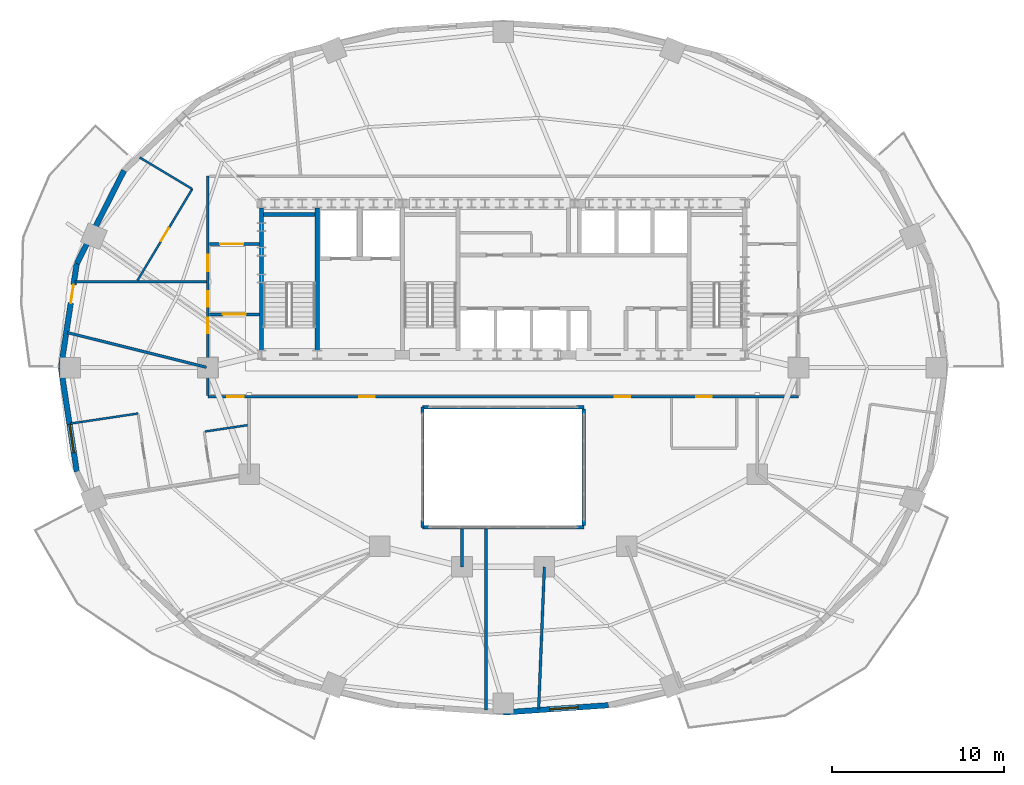
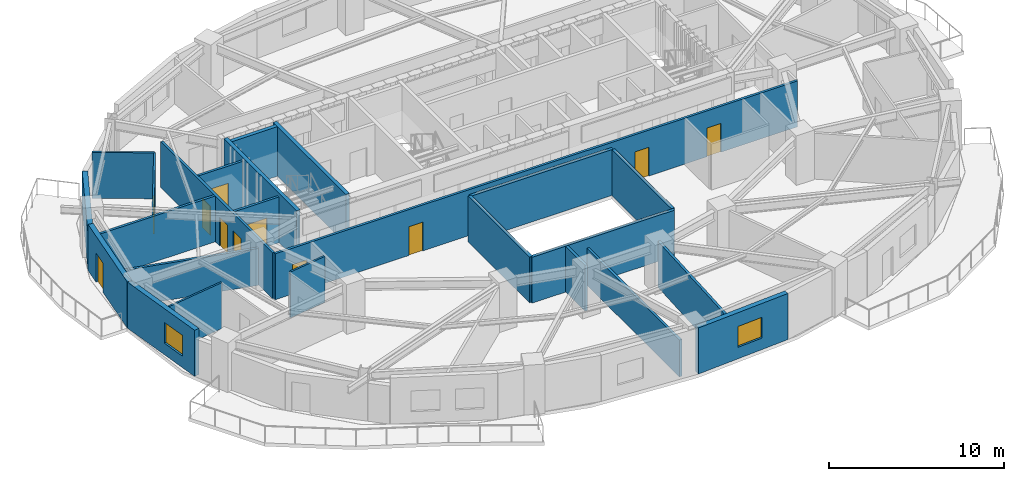
# One storey, part 6 of 12: 24 walls, 11 doors, 2 windows, 13 openings.
"""IFC4 building model written with IfcOpenShell, lengths in metres."""

from ifc_helpers import new_model, si_unit, direction, frame, frame_2d, origin, place, context, subcontext, project, spatial, rectangle, extrude, material, layer, layer_set, type_object, element, fill, save


model = new_model("IFC4")

# Units and contexts
model_context = context("Model", 3, precision=1e-05, world=origin(), true_north=direction((0.0, 1.0)))
body_context = subcontext(model_context, "Body", "Model", "MODEL_VIEW")
ifc_project = project(units=[si_unit("LENGTHUNIT", "METRE"), si_unit("AREAUNIT", "SQUARE_METRE"), si_unit("VOLUMEUNIT", "CUBIC_METRE"), si_unit("PLANEANGLEUNIT", "RADIAN"), si_unit("MASSUNIT", "GRAM", prefix="KILO")], contexts=[model_context])

# Site, building, storey
site_placement = place(None, origin())
site = spatial("IfcSite", under=ifc_project, at=site_placement, CompositionType="ELEMENT")
building_placement = place(site_placement, origin())
building = spatial("IfcBuilding", under=site, at=building_placement, Name="Haldorwick Loom Tower", CompositionType="ELEMENT")
storey_placement = place(building_placement, frame((0.0, 0.0, 154.449951171875)))
storey = spatial("IfcBuildingStorey", under=building, at=storey_placement, Name="L41", CompositionType="ELEMENT", Elevation=154.449951171875)

# Wall
ifc_material_1 = material(Name="Pressed Clay Face Brick and Insulated Masonry Backup Assembly", Category="masonry")
ifc_layer_1 = layer(ifc_material_1, 0.320068359375, Name="Pressed Clay Face Brick and Insulated Masonry Backup Assembly", Category="masonry")
ifc_layer_set_1 = layer_set([ifc_layer_1], Name="Pressed Clay Face Brick and Insulated Masonry Backup Assembly")
wall_type_1 = type_object("IfcWallType", Name="ARC-WL-EXT320", PredefinedType="STANDARD", material=ifc_layer_set_1)
wall_1_placement = place(storey_placement, frame((13.92333984375, 37.481201171875, 0.0), z_axis=(0.0, 0.0, 1.0), x_axis=(-0.453172129629, -0.89142303141, 0.0)))
element("IfcWall", 1, at=wall_1_placement, inside=storey, type_object=wall_type_1, Name="L41 Brick Pier and Spandrel Wall 11", PredefinedType="STANDARD", context=body_context, shape_type="SweptSolid", body=[
    extrude(rectangle(XDim=6.086669921875, YDim=0.320068359375, at=frame_2d((3.04345703125, 0.0))), origin(), (0.0, 0.0, 1.0), 2.64111328125),
])

# Wall, opening, door
wall_2_placement = place(storey_placement, frame((11.1650390625, 32.055419921875, 0.0), z_axis=(0.0, 0.0, 1.0), x_axis=(-0.150544467684, -0.988603238539, 0.0)))
wall_2 = element("IfcWall", 2, at=wall_2_placement, inside=storey, type_object=wall_type_1, Name="L41 Brick Pier and Spandrel Wall 12", PredefinedType="STANDARD", context=body_context, shape_type="SweptSolid", body=[
    extrude(rectangle(XDim=6.125244140625, YDim=0.320068359375, at=frame_2d((3.0625, 0.0))), origin(), (0.0, 0.0, 1.0), 3.2099609375),
])
opening_1_placement = place(wall_2_placement, frame((1.237060546875, 0.0, 0.0)))
opening_1 = element("IfcOpeningElement", 3, at=opening_1_placement, cuts=wall_2, Name="Opening D-BL11", PredefinedType="OPENING", context=body_context, shape_type="SweptSolid", body=[
    extrude(rectangle(XDim=1.080078125, YDim=2.0400390625, at=frame_2d((0.5400390625, 1.02001953125))), frame((0.0, 0.169921875, 0.0), z_axis=(0.0, -1.0, 0.0), x_axis=(1.0, 0.0, 0.0)), (0.0, 0.0, 1.0), 0.340087890625),
])
ifc_material_2 = material(Name="Thermally Broken Anodized Aluminium Curtain Wall Framing", Category="aluminium")
door_type_1 = type_object("IfcDoorType", Name="ARC-DR-BAL110", OperationType="NOTDEFINED", PredefinedType="DOOR", material=ifc_material_2)
door_1_placement = place(opening_1_placement, origin())
door_1 = element("IfcDoor", 4, at=door_1_placement, inside=storey, type_object=door_type_1, Name="L41 Outdoor Terrace Door SLB-L41-BAL_WNW", OperationType="SINGLE_SWING_RIGHT", OverallHeight=2.0400390625, OverallWidth=1.080078125, PredefinedType="DOOR", context=body_context, shape_type="SweptSolid", body=[
    extrude(rectangle(XDim=1.080078125, YDim=2.0400390625, at=frame_2d((0.5400390625, 1.02001953125))), frame((0.0, 0.02490234375, 0.0), z_axis=(0.0, -1.0, 0.0), x_axis=(1.0, 0.0, 0.0)), (0.0, 0.0, 1.0), 0.050048828125),
])
fill(opening_1, door_1)

# Wall, opening, window
wall_3_placement = place(storey_placement, frame((10.242919921875, 26.0, 0.0), z_axis=(0.0, 0.0, 1.0), x_axis=(0.150544467684, -0.988603238539, 0.0)))
wall_3 = element("IfcWall", 5, at=wall_3_placement, inside=storey, type_object=wall_type_1, Name="L41 Brick Pier and Spandrel Wall 13", PredefinedType="STANDARD", context=body_context, shape_type="SweptSolid", body=[
    extrude(rectangle(XDim=6.125244140625, YDim=0.320068359375, at=frame_2d((3.0625, 0.0))), origin(), (0.0, 0.0, 1.0), 3.2099609375),
])
opening_2_placement = place(wall_3_placement, frame((3.35205078125, 0.0, 0.800048828125)))
opening_2 = element("IfcOpeningElement", 6, at=opening_2_placement, cuts=wall_3, Name="Opening W-01B", PredefinedType="OPENING", context=body_context, shape_type="SweptSolid", body=[
    extrude(rectangle(XDim=1.64990234375, YDim=1.449951171875, at=frame_2d((0.824951171875, 0.72509765625))), frame((0.0, 0.169921875, 0.0), z_axis=(0.0, -1.0, 0.0), x_axis=(1.0, 0.0, 0.0)), (0.0, 0.0, 1.0), 0.340087890625),
])
ifc_material_3 = material(Name="Triple-Glazed Low-E Argon Insulated Glazing Unit", Category="glass")
window_type = type_object("IfcWindowType", Name="ARC-WIN-W165", PartitioningType="SINGLE_PANEL", PredefinedType="WINDOW", material=ifc_material_3)
window_1_placement = place(opening_2_placement, origin())
window_1 = element("IfcWindow", 7, at=window_1_placement, inside=storey, type_object=window_type, Name="L41 Deep-Set Zone 7A Window 13", OverallHeight=1.449951171875, OverallWidth=1.64990234375, PartitioningType="SINGLE_PANEL", PredefinedType="WINDOW", context=body_context, shape_type="SweptSolid", body=[
    extrude(rectangle(XDim=1.64990234375, YDim=1.449951171875, at=frame_2d((0.824951171875, 0.72509765625))), frame((0.0, 0.030029296875, 0.0), z_axis=(0.0, -1.0, 0.0), x_axis=(1.0, 0.0, 0.0)), (0.0, 0.0, 1.0), 0.06005859375),
])
fill(opening_2, window_1)

wall_4_placement = place(storey_placement, frame((36.0, 5.915283203125, 0.0), z_axis=(0.0, 0.0, 1.0), x_axis=(0.997652942988, 0.068473391522, 0.0)))
wall_4 = element("IfcWall", 8, at=wall_4_placement, inside=storey, type_object=wall_type_1, Name="L41 Brick Pier and Spandrel Wall 19", PredefinedType="STANDARD", context=body_context, shape_type="SweptSolid", body=[
    extrude(rectangle(XDim=6.143310546875, YDim=0.320068359375, at=frame_2d((3.07177734375, 0.0))), origin(), (0.0, 0.0, 1.0), 3.2099609375),
])
opening_3_placement = place(wall_4_placement, frame((2.723388671875, 0.0, 0.800048828125)))
opening_3 = element("IfcOpeningElement", 9, at=opening_3_placement, cuts=wall_4, Name="Opening W-01B", PredefinedType="OPENING", context=body_context, shape_type="SweptSolid", body=[
    extrude(rectangle(XDim=1.64990234375, YDim=1.449951171875, at=frame_2d((0.824951171875, 0.72509765625))), frame((0.0, 0.169921875, 0.0), z_axis=(0.0, -1.0, 0.0), x_axis=(1.0, 0.0, 0.0)), (0.0, 0.0, 1.0), 0.340087890625),
])
window_2_placement = place(opening_3_placement, origin())
window_2 = element("IfcWindow", 10, at=window_2_placement, inside=storey, type_object=window_type, Name="L41 Deep-Set Zone 7A Window 19", OverallHeight=1.449951171875, OverallWidth=1.64990234375, PartitioningType="SINGLE_PANEL", PredefinedType="WINDOW", context=body_context, shape_type="SweptSolid", body=[
    extrude(rectangle(XDim=1.64990234375, YDim=1.449951171875, at=frame_2d((0.824951171875, 0.72509765625))), frame((0.0, 0.030029296875, 0.0), z_axis=(0.0, -1.0, 0.0), x_axis=(1.0, 0.0, 0.0)), (0.0, 0.0, 1.0), 0.06005859375),
])
fill(opening_3, window_2)

# Wall, openings, doors
ifc_material_4 = material(Name="Fire-Rated Type X Gypsum Stud Assembly EI 60")
ifc_layer_2 = layer(ifc_material_4, 0.159912109375, Name="Fire-Rated Type X Gypsum Stud Assembly EI 60")
ifc_layer_set_2 = layer_set([ifc_layer_2], Name="Fire-Rated Type X Gypsum Stud Assembly EI 60")
wall_type_2 = type_object("IfcWallType", Name="ARC-WL-FIRE160", PredefinedType="PARTITIONING", material=ifc_layer_set_2)
wall_5_placement = place(storey_placement, frame((18.800048828125, 24.300048828125, 0.0), z_axis=(0.0, 0.0, 1.0), x_axis=(1.0, 0.0, 0.0)))
wall_5 = element("IfcWall", 11, at=wall_5_placement, inside=storey, type_object=wall_type_2, Name="L41 Residential Fire Partition L41-CR-SP", PredefinedType="PARTITIONING", context=body_context, shape_type="SweptSolid", body=[
    extrude(rectangle(XDim=34.39990234375, YDim=0.159912109375, at=frame_2d((17.199951171875, 0.0))), origin(), (0.0, 0.0, 1.0), 3.195068359375),
])
opening_4_placement = place(wall_5_placement, frame((23.6962890625, 0.0, 0.0)))
opening_4 = element("IfcOpeningElement", 12, at=opening_4_placement, cuts=wall_5, Name="Opening D-FD60A", PredefinedType="OPENING", context=body_context, shape_type="SweptSolid", body=[
    extrude(rectangle(XDim=0.89990234375, YDim=2.0, at=frame_2d((0.449951171875, 1.0))), frame((0.0, 0.08984375, 0.0), z_axis=(0.0, -1.0, 0.0), x_axis=(1.0, 0.0, 0.0)), (0.0, 0.0, 1.0), 0.179931640625),
])
opening_5_placement = place(wall_5_placement, frame((8.8115234375, 0.0, 0.0)))
opening_5 = element("IfcOpeningElement", 13, at=opening_5_placement, cuts=wall_5, Name="Opening D-FD60A", PredefinedType="OPENING", context=body_context, shape_type="SweptSolid", body=[
    extrude(rectangle(XDim=0.89990234375, YDim=2.0, at=frame_2d((0.449951171875, 1.0))), frame((0.0, 0.08984375, 0.0), z_axis=(0.0, -1.0, 0.0), x_axis=(1.0, 0.0, 0.0)), (0.0, 0.0, 1.0), 0.179931640625),
])
opening_6_placement = place(wall_5_placement, frame((28.437255859375, 0.0, 0.0)))
opening_6 = element("IfcOpeningElement", 14, at=opening_6_placement, cuts=wall_5, Name="Opening D-FD60A", PredefinedType="OPENING", context=body_context, shape_type="SweptSolid", body=[
    extrude(rectangle(XDim=0.89990234375, YDim=2.0, at=frame_2d((0.449951171875, 1.0))), frame((0.0, 0.08984375, 0.0), z_axis=(0.0, -1.0, 0.0), x_axis=(1.0, 0.0, 0.0)), (0.0, 0.0, 1.0), 0.179931640625),
])
opening_7_placement = place(wall_5_placement, frame((1.130859375, 0.0, 0.0)))
opening_7 = element("IfcOpeningElement", 15, at=opening_7_placement, cuts=wall_5, Name="Opening D-FL95", PredefinedType="OPENING", context=body_context, shape_type="SweptSolid", body=[
    extrude(rectangle(XDim=0.949951171875, YDim=2.0400390625, at=frame_2d((0.47509765625, 1.02001953125))), frame((0.0, 0.08984375, 0.0), z_axis=(0.0, -1.0, 0.0), x_axis=(1.0, 0.0, 0.0)), (0.0, 0.0, 1.0), 0.179931640625),
])
ifc_material_5 = material(Name="Hollow Steel Fire Door Assembly", Category="steel")
door_type_2 = type_object("IfcDoorType", Name="ARC-DR-FD60-90", OperationType="NOTDEFINED", PredefinedType="DOOR", material=ifc_material_5)
door_2_placement = place(opening_4_placement, origin())
door_2 = element("IfcDoor", 16, at=door_2_placement, inside=storey, type_object=door_type_2, Name="L41 L41 Central Residential Corridor to Co-Working Open Office 1 Door", OperationType="SINGLE_SWING_LEFT", OverallHeight=2.0, OverallWidth=0.89990234375, PredefinedType="DOOR", context=body_context, shape_type="SweptSolid", body=[
    extrude(rectangle(XDim=0.89990234375, YDim=2.0, at=frame_2d((0.449951171875, 1.0))), frame((0.0, 0.02490234375, 0.0), z_axis=(0.0, -1.0, 0.0), x_axis=(1.0, 0.0, 0.0)), (0.0, 0.0, 1.0), 0.050048828125),
])
fill(opening_4, door_2)
door_3_placement = place(opening_5_placement, origin())
door_3 = element("IfcDoor", 17, at=door_3_placement, inside=storey, type_object=door_type_2, Name="L41 L41 Central Residential Corridor to Co-Working Open Office 2 Door", OperationType="SINGLE_SWING_RIGHT", OverallHeight=2.0, OverallWidth=0.89990234375, PredefinedType="DOOR", context=body_context, shape_type="SweptSolid", body=[
    extrude(rectangle(XDim=0.89990234375, YDim=2.0, at=frame_2d((0.449951171875, 1.0))), frame((0.0, 0.02490234375, 0.0), z_axis=(0.0, -1.0, 0.0), x_axis=(1.0, 0.0, 0.0)), (0.0, 0.0, 1.0), 0.050048828125),
])
fill(opening_5, door_3)
door_4_placement = place(opening_6_placement, origin())
door_4 = element("IfcDoor", 18, at=door_4_placement, inside=storey, type_object=door_type_2, Name="L41 L41 Central Residential Corridor to Common Accessible WC Door", OperationType="SINGLE_SWING_LEFT", OverallHeight=2.0, OverallWidth=0.89990234375, PredefinedType="DOOR", context=body_context, shape_type="SweptSolid", body=[
    extrude(rectangle(XDim=0.89990234375, YDim=2.0, at=frame_2d((0.449951171875, 1.0))), frame((0.0, 0.02490234375, 0.0), z_axis=(0.0, -1.0, 0.0), x_axis=(1.0, 0.0, 0.0)), (0.0, 0.0, 1.0), 0.050048828125),
])
fill(opening_6, door_4)
ifc_material_6 = material(Name="Solid Core Birch Architectural Door")
door_type_3 = type_object("IfcDoorType", Name="ARC-DR-FLAT95", OperationType="NOTDEFINED", PredefinedType="DOOR", material=ifc_material_6)
door_5_placement = place(opening_7_placement, origin())
door_5 = element("IfcDoor", 19, at=door_5_placement, inside=storey, type_object=door_type_3, Name="L41 L41 Central Residential Corridor to Unit 41A Kitchen and Living Room", OperationType="SINGLE_SWING_LEFT", OverallHeight=2.0400390625, OverallWidth=0.949951171875, PredefinedType="DOOR", context=body_context, shape_type="SweptSolid", body=[
    extrude(rectangle(XDim=0.949951171875, YDim=2.0400390625, at=frame_2d((0.47509765625, 1.02001953125))), frame((0.0, 0.02490234375, 0.0), z_axis=(0.0, -1.0, 0.0), x_axis=(1.0, 0.0, 0.0)), (0.0, 0.0, 1.0), 0.050048828125),
])
fill(opening_7, door_5)

wall_6_placement = place(storey_placement, frame((18.800048828125, 24.383056640625, 0.0), z_axis=(0.0, 0.0, 1.0), x_axis=(0.0, 1.0, 0.0)))
wall_6 = element("IfcWall", 20, at=wall_6_placement, inside=storey, type_object=wall_type_2, Name="L41 Residential Fire Partition L41-CR-W0", PredefinedType="PARTITIONING", context=body_context, shape_type="SweptSolid", body=[
    extrude(rectangle(XDim=12.766845703125, YDim=0.159912109375, at=frame_2d((6.38330078125, 0.0))), origin(), (0.0, 0.0, 1.0), 3.195068359375),
])
opening_8_placement = place(wall_6_placement, frame((3.62158203125, 0.0, 0.0)))
opening_8 = element("IfcOpeningElement", 21, at=opening_8_placement, cuts=wall_6, Name="Opening D-FD60A", PredefinedType="OPENING", context=body_context, shape_type="SweptSolid", body=[
    extrude(rectangle(XDim=0.89990234375, YDim=2.0, at=frame_2d((0.449951171875, 1.0))), frame((0.0, 0.08984375, 0.0), z_axis=(0.0, -1.0, 0.0), x_axis=(1.0, 0.0, 0.0)), (0.0, 0.0, 1.0), 0.179931640625),
])
opening_9_placement = place(wall_6_placement, frame((7.229248046875, 0.0, 0.0)))
opening_9 = element("IfcOpeningElement", 22, at=opening_9_placement, cuts=wall_6, Name="Opening D-FL95", PredefinedType="OPENING", context=body_context, shape_type="SweptSolid", body=[
    extrude(rectangle(XDim=0.949951171875, YDim=2.0400390625, at=frame_2d((0.47509765625, 1.02001953125))), frame((0.0, 0.08984375, 0.0), z_axis=(0.0, -1.0, 0.0), x_axis=(1.0, 0.0, 0.0)), (0.0, 0.0, 1.0), 0.179931640625),
])
opening_10_placement = place(wall_6_placement, frame((5.1630859375, 0.0, 0.0)))
opening_10 = element("IfcOpeningElement", 23, at=opening_10_placement, cuts=wall_6, Name="Opening D-FD60A", PredefinedType="OPENING", context=body_context, shape_type="SweptSolid", body=[
    extrude(rectangle(XDim=0.89990234375, YDim=2.0, at=frame_2d((0.449951171875, 1.0))), frame((0.0, 0.08984375, 0.0), z_axis=(0.0, -1.0, 0.0), x_axis=(1.0, 0.0, 0.0)), (0.0, 0.0, 1.0), 0.179931640625),
])
door_6_placement = place(opening_8_placement, frame((0.89990234375, 0.0, 0.0), z_axis=(0.0, 0.0, 1.0), x_axis=(-1.0, 0.0, 0.0)))
door_6 = element("IfcDoor", 24, at=door_6_placement, inside=storey, type_object=door_type_2, Name="L41 Resident Study Room 1 to L41 Central Residential Corridor Door", OperationType="SINGLE_SWING_LEFT", OverallHeight=2.0, OverallWidth=0.89990234375, PredefinedType="DOOR", context=body_context, shape_type="SweptSolid", body=[
    extrude(rectangle(XDim=0.89990234375, YDim=2.0, at=frame_2d((0.449951171875, 1.0))), frame((0.0, 0.02490234375, 0.0), z_axis=(0.0, -1.0, 0.0), x_axis=(1.0, 0.0, 0.0)), (0.0, 0.0, 1.0), 0.050048828125),
])
fill(opening_8, door_6)
door_7_placement = place(opening_10_placement, frame((0.89990234375, 0.0, 0.0), z_axis=(0.0, 0.0, 1.0), x_axis=(-1.0, 0.0, 0.0)))
door_7 = element("IfcDoor", 25, at=door_7_placement, inside=storey, type_object=door_type_2, Name="L41 Resident Study Room 1 to L41 West Residential Corridor Door", OperationType="SINGLE_SWING_LEFT", OverallHeight=2.0, OverallWidth=0.89990234375, PredefinedType="DOOR", context=body_context, shape_type="SweptSolid", body=[
    extrude(rectangle(XDim=0.89990234375, YDim=2.0, at=frame_2d((0.449951171875, 1.0))), frame((0.0, 0.02490234375, 0.0), z_axis=(0.0, -1.0, 0.0), x_axis=(1.0, 0.0, 0.0)), (0.0, 0.0, 1.0), 0.050048828125),
])
fill(opening_10, door_7)
door_8_placement = place(opening_9_placement, frame((0.949951171875, 0.0, 0.0), z_axis=(0.0, 0.0, 1.0), x_axis=(-1.0, 0.0, 0.0)))
door_8 = element("IfcDoor", 26, at=door_8_placement, inside=storey, type_object=door_type_3, Name="L41 Unit 41B Kitchen and Studio Living Room to L41 West Residential Corr", OperationType="SINGLE_SWING_RIGHT", OverallHeight=2.0400390625, OverallWidth=0.949951171875, PredefinedType="DOOR", context=body_context, shape_type="SweptSolid", body=[
    extrude(rectangle(XDim=0.949951171875, YDim=2.0400390625, at=frame_2d((0.47509765625, 1.02001953125))), frame((0.0, 0.02490234375, 0.0), z_axis=(0.0, -1.0, 0.0), x_axis=(1.0, 0.0, 0.0)), (0.0, 0.0, 1.0), 0.050048828125),
])
fill(opening_9, door_8)

# Wall, opening, door
wall_7_placement = place(storey_placement, frame((18.883056640625, 29.10009765625, 0.0), z_axis=(0.0, 0.0, 1.0), x_axis=(1.0, 0.0, 0.0)))
wall_7 = element("IfcWall", 27, at=wall_7_placement, inside=storey, type_object=wall_type_2, Name="L41 Residential Fire Partition L41-CR-WSJ", PredefinedType="PARTITIONING", context=body_context, shape_type="SweptSolid", body=[
    extrude(rectangle(XDim=2.923828125, YDim=0.159912109375, at=frame_2d((1.4619140625, 0.0))), origin(), (0.0, 0.0, 1.0), 3.195068359375),
])
opening_11_placement = place(wall_7_placement, frame((0.787109375, 0.0, 0.0)))
opening_11 = element("IfcOpeningElement", 28, at=opening_11_placement, cuts=wall_7, Name="Opening D-CR15", PredefinedType="OPENING", context=body_context, shape_type="SweptSolid", body=[
    extrude(rectangle(XDim=1.35009765625, YDim=2.0, at=frame_2d((0.675048828125, 1.0))), frame((0.0, 0.08984375, 0.0), z_axis=(0.0, -1.0, 0.0), x_axis=(1.0, 0.0, 0.0)), (0.0, 0.0, 1.0), 0.179931640625),
])
ifc_material_7 = material(Name="Thermally Broken Anodized Aluminium and Tempered Glass", Category="aluminium")
door_type_4 = type_object("IfcDoorType", Name="ARC-DR-COR150", OperationType="NOTDEFINED", PredefinedType="DOOR", material=ifc_material_7)
door_9_placement = place(opening_11_placement, origin())
door_9 = element("IfcDoor", 29, at=door_9_placement, inside=storey, type_object=door_type_4, Name="L41 L41 West Residential Corridor to L41 Central Residential Corridor Do", OperationType="DOUBLE_DOOR_SINGLE_SWING", OverallHeight=2.0, OverallWidth=1.35009765625, PredefinedType="DOOR", context=body_context, shape_type="SweptSolid", body=[
    extrude(rectangle(XDim=1.35009765625, YDim=2.0, at=frame_2d((0.675048828125, 1.0))), frame((0.0, 0.02490234375, 0.0), z_axis=(0.0, -1.0, 0.0), x_axis=(1.0, 0.0, 0.0)), (0.0, 0.0, 1.0), 0.050048828125),
])
fill(opening_11, door_9)

wall_8_placement = place(storey_placement, frame((18.883056640625, 33.199951171875, 0.0), z_axis=(0.0, 0.0, 1.0), x_axis=(1.0, 0.0, 0.0)))
wall_8 = element("IfcWall", 30, at=wall_8_placement, inside=storey, type_object=wall_type_2, Name="L41 Residential Fire Partition L41-CR-WNJ", PredefinedType="PARTITIONING", context=body_context, shape_type="SweptSolid", body=[
    extrude(rectangle(XDim=2.923828125, YDim=0.159912109375, at=frame_2d((1.4619140625, 0.0))), origin(), (0.0, 0.0, 1.0), 3.195068359375),
])
opening_12_placement = place(wall_8_placement, frame((0.637939453125, 0.0, 0.0)))
opening_12 = element("IfcOpeningElement", 31, at=opening_12_placement, cuts=wall_8, Name="Opening D-CR15", PredefinedType="OPENING", context=body_context, shape_type="SweptSolid", body=[
    extrude(rectangle(XDim=1.35009765625, YDim=2.0, at=frame_2d((0.675048828125, 1.0))), frame((0.0, 0.08984375, 0.0), z_axis=(0.0, -1.0, 0.0), x_axis=(1.0, 0.0, 0.0)), (0.0, 0.0, 1.0), 0.179931640625),
])
door_10_placement = place(opening_12_placement, origin())
door_10 = element("IfcDoor", 32, at=door_10_placement, inside=storey, type_object=door_type_4, Name="L41 L41 North Residential Corridor to L41 West Residential Corridor Door", OperationType="DOUBLE_DOOR_SINGLE_SWING", OverallHeight=2.0, OverallWidth=1.35009765625, PredefinedType="DOOR", context=body_context, shape_type="SweptSolid", body=[
    extrude(rectangle(XDim=1.35009765625, YDim=2.0, at=frame_2d((0.675048828125, 1.0))), frame((0.0, 0.02490234375, 0.0), z_axis=(0.0, -1.0, 0.0), x_axis=(1.0, 0.0, 0.0)), (0.0, 0.0, 1.0), 0.050048828125),
])
fill(opening_12, door_10)

# Walls
wall_9_placement = place(storey_placement, frame((38.39990234375, 14.39990234375, 0.0), z_axis=(0.0, 0.0, 1.0), x_axis=(-0.040315228746, -0.99918701069, 0.0)))
element("IfcWall", 33, at=wall_9_placement, inside=storey, type_object=wall_type_2, Name="L41 Residential Fire Partition L41-ICR-06", PredefinedType="PARTITIONING", context=body_context, shape_type="SweptSolid", body=[
    extrude(rectangle(XDim=8.284423828125, YDim=0.159912109375, at=frame_2d((4.14208984375, 0.0))), origin(), (0.0, 0.0, 1.0), 3.195068359375),
])
wall_10_placement = place(storey_placement, frame((18.717041015625, 26.020751953125, 0.0), z_axis=(0.0, 0.0, 1.0), x_axis=(-0.97029374306, 0.241929849708, 0.0)))
element("IfcWall", 34, at=wall_10_placement, inside=storey, type_object=wall_type_2, Name="L41 Residential Fire Partition L41-ICR-12", PredefinedType="PARTITIONING", context=body_context, shape_type="SweptSolid", body=[
    extrude(rectangle(XDim=8.345458984375, YDim=0.159912109375, at=frame_2d((4.1728515625, 0.0))), origin(), (0.0, 0.0, 1.0), 2.568115234375),
])
wall_11_placement = place(storey_placement, frame((35.0, 6.04931640625, 0.0), z_axis=(0.0, 0.0, 1.0), x_axis=(0.0, 1.0, 0.0)))
element("IfcWall", 35, at=wall_11_placement, inside=storey, type_object=wall_type_2, Name="L41 Residential Fire Partition L41-SBP-0", PredefinedType="PARTITIONING", context=body_context, shape_type="SweptSolid", body=[
    extrude(rectangle(XDim=10.547607421875, YDim=0.159912109375, at=frame_2d((5.27392578125, 0.0))), origin(), (0.0, 0.0, 1.0), 2.568115234375),
])
wall_12_placement = place(storey_placement, frame((33.60009765625, 16.596923828125, 0.0), z_axis=(0.0, 0.0, 1.0), x_axis=(0.0, -1.0, 0.0)))
element("IfcWall", 36, at=wall_12_placement, inside=storey, type_object=wall_type_2, Name="L41 Residential Fire Partition L41-ICA-07", PredefinedType="PARTITIONING", context=body_context, shape_type="SweptSolid", body=[
    extrude(rectangle(XDim=2.197021484375, YDim=0.159912109375, at=frame_2d((1.0986328125, 0.0))), origin(), (0.0, 0.0, 1.0), 3.195068359375),
])
wall_13_placement = place(storey_placement, frame((11.070068359375, 31.0, 0.0), z_axis=(0.0, 0.0, 1.0), x_axis=(1.0, 0.0, 0.0)))
element("IfcWall", 37, at=wall_13_placement, inside=storey, type_object=wall_type_2, Name="L41 Residential Fire Partition L41-FLW-17", PredefinedType="PARTITIONING", context=body_context, shape_type="SweptSolid", body=[
    extrude(rectangle(XDim=7.64697265625, YDim=0.159912109375, at=frame_2d((3.823486328125, 0.0))), origin(), (0.0, 0.0, 1.0), 3.195068359375),
])
ifc_material_8 = material(Name="Fire-Rated Type X Gypsum Stud Assembly EI 120")
ifc_layer_3 = layer(ifc_material_8, 0.199951171875, Name="Fire-Rated Type X Gypsum Stud Assembly EI 120")
ifc_layer_set_3 = layer_set([ifc_layer_3], Name="Fire-Rated Type X Gypsum Stud Assembly EI 120")
wall_type_3 = type_object("IfcWallType", Name="ARC-WL-FIRE200", PredefinedType="PARTITIONING", material=ifc_layer_set_3)
for number, where, z_axis, x_axis, name in (
    (38, (31.300048828125, 23.699951171875, 0.0), (0.0, 0.0, 1.0), (1.0, 0.0, 0.0), "L41 Atrium Fire Enclosure Wall N"),
    (39, (40.699951171875, 16.699951171875, 0.0), (0.0, 0.0, 1.0), (-1.0, 0.0, 0.0), "L41 Atrium Fire Enclosure Wall S"),
):
    element("IfcWall", number, at=place(storey_placement, frame(where, z_axis=z_axis, x_axis=x_axis)), inside=storey, type_object=wall_type_3, Name=name, PredefinedType="PARTITIONING", context=body_context, shape_type="SweptSolid", body=[
        extrude(rectangle(XDim=9.39990234375, YDim=0.199951171875, at=frame_2d((4.699951171875, 0.0))), origin(), (0.0, 0.0, 1.0), 3.195068359375),
    ])
wall_14_placement = place(storey_placement, frame((31.300048828125, 16.699951171875, 0.0), z_axis=(0.0, 0.0, 1.0), x_axis=(0.0, 1.0, 0.0)))
element("IfcWall", 40, at=wall_14_placement, inside=storey, type_object=wall_type_3, Name="L41 Atrium Fire Enclosure Wall W", PredefinedType="PARTITIONING", context=body_context, shape_type="SweptSolid", body=[
    extrude(rectangle(XDim=7.0, YDim=0.199951171875, at=frame_2d((3.5, 0.0))), origin(), (0.0, 0.0, 1.0), 3.195068359375),
])
wall_15_placement = place(storey_placement, frame((40.699951171875, 23.596923828125, 0.0), z_axis=(0.0, 0.0, 1.0), x_axis=(0.0, -1.0, 0.0)))
element("IfcWall", 41, at=wall_15_placement, inside=storey, type_object=wall_type_3, Name="L41 Atrium Fire Enclosure Wall E", PredefinedType="PARTITIONING", context=body_context, shape_type="SweptSolid", body=[
    extrude(rectangle(XDim=6.7939453125, YDim=0.199951171875, at=frame_2d((3.39697265625, 0.0))), origin(), (0.0, 0.0, 1.0), 3.195068359375),
])
ifc_material_9 = material(Name="Acoustic Gypsum Stud Assembly STC 55")
ifc_layer_4 = layer(ifc_material_9, 0.1201171875, Name="Acoustic Gypsum Stud Assembly STC 55")
ifc_layer_set_4 = layer_set([ifc_layer_4], Name="Acoustic Gypsum Stud Assembly STC 55")
wall_type_4 = type_object("IfcWallType", Name="ARC-WL-PART120", PredefinedType="PARTITIONING", material=ifc_layer_set_4)
wall_16_placement = place(storey_placement, frame((21.116943359375, 22.648681640625, 0.0), z_axis=(0.0, 0.0, 1.0), x_axis=(-0.989077144291, -0.147398787785, 0.0)))
element("IfcWall", 42, at=wall_16_placement, inside=storey, type_object=wall_type_4, Name="L41 Unit 41A Interior Partition", PredefinedType="PARTITIONING", context=body_context, shape_type="SweptSolid", body=[
    extrude(rectangle(XDim=2.497802734375, YDim=0.1201171875, at=frame_2d((1.2490234375, 0.0))), origin(), (0.0, 0.0, 1.0), 3.195068359375),
])
wall_17_placement = place(storey_placement, frame((14.731201171875, 23.3271484375, 0.0), z_axis=(0.0, 0.0, 1.0), x_axis=(-0.989064996369, -0.147480279896, 0.0)))
element("IfcWall", 43, at=wall_17_placement, inside=storey, type_object=wall_type_4, Name="L41 Unit 41A Interior Partition", PredefinedType="PARTITIONING", context=body_context, shape_type="SweptSolid", body=[
    extrude(rectangle(XDim=3.9697265625, YDim=0.1201171875, at=frame_2d((1.98486328125, 0.0))), origin(), (0.0, 0.0, 1.0), 3.195068359375),
])

# Wall, opening, door
wall_18_placement = place(storey_placement, frame((17.892333984375, 36.401611328125, 0.0), z_axis=(0.0, 0.0, 1.0), x_axis=(-0.51391655632, -0.857840179253, 0.0)))
wall_18 = element("IfcWall", 44, at=wall_18_placement, inside=storey, type_object=wall_type_4, Name="L41 Unit 41B Interior Partition", PredefinedType="PARTITIONING", context=body_context, shape_type="SweptSolid", body=[
    extrude(rectangle(XDim=6.199951171875, YDim=0.1201171875, at=frame_2d((3.10009765625, 0.0))), origin(), (0.0, 0.0, 1.0), 3.195068359375),
])
opening_13_placement = place(wall_18_placement, frame((2.66015625, 0.0, 0.0)))
opening_13 = element("IfcOpeningElement", 45, at=opening_13_placement, cuts=wall_18, Name="Opening D-BT88", PredefinedType="OPENING", context=body_context, shape_type="SweptSolid", body=[
    extrude(rectangle(XDim=0.8798828125, YDim=2.02001953125, at=frame_2d((0.43994140625, 1.010009765625))), frame((0.0, 0.070068359375, 0.0), z_axis=(0.0, -1.0, 0.0), x_axis=(1.0, 0.0, 0.0)), (0.0, 0.0, 1.0), 0.14013671875),
])
door_type_5 = type_object("IfcDoorType", Name="ARC-DR-BATH88", OperationType="NOTDEFINED", PredefinedType="DOOR", material=ifc_material_6)
door_11_placement = place(opening_13_placement, origin())
door_11 = element("IfcDoor", 46, at=door_11_placement, inside=storey, type_object=door_type_5, Name="L41 Unit 41B Kitchen and Studio Living Room to Unit 41B Bathroom Door", OperationType="SINGLE_SWING_LEFT", OverallHeight=2.02001953125, OverallWidth=0.8798828125, PredefinedType="DOOR", context=body_context, shape_type="SweptSolid", body=[
    extrude(rectangle(XDim=0.8798828125, YDim=2.02001953125, at=frame_2d((0.43994140625, 1.010009765625))), frame((0.0, 0.02490234375, 0.0), z_axis=(0.0, -1.0, 0.0), x_axis=(1.0, 0.0, 0.0)), (0.0, 0.0, 1.0), 0.050048828125),
])
fill(opening_13, door_11)

# Walls
wall_19_placement = place(storey_placement, frame((17.892333984375, 36.401611328125, 0.0), z_axis=(0.0, 0.0, 1.0), x_axis=(-0.85781861304, 0.513952553376, 0.0)))
element("IfcWall", 47, at=wall_19_placement, inside=storey, type_object=wall_type_4, Name="L41 Unit 41B Interior Partition", PredefinedType="PARTITIONING", context=body_context, shape_type="SweptSolid", body=[
    extrude(rectangle(XDim=3.56982421875, YDim=0.1201171875, at=frame_2d((1.784912109375, 0.0))), origin(), (0.0, 0.0, 1.0), 3.195068359375),
])
ifc_material_10 = material(Name="Concrete C50 (50 MPa)", Category="concrete")
ifc_layer_5 = layer(ifc_material_10, 0.239990234375, Name="Concrete C50 (50 MPa)", Category="concrete")
ifc_layer_set_5 = layer_set([ifc_layer_5], Name="Concrete C50 (50 MPa)")
wall_type_5 = type_object("IfcWallType", Name="STR-WL-SHAFT240", PredefinedType="SHEAR", material=ifc_layer_set_5)
for number, where, z_axis, x_axis, name in (
    (48, (21.929931640625, 35.297119140625, 0.0), (0.0, 0.0, 1.0), (0.0, -1.0, 0.0), "L41 Core Shear Wall W"),
    (49, (25.169921875, 27.0029296875, 0.0), (0.0, 0.0, 1.0), (0.0, 1.0, 0.0), "L41 Core Shear Wall 1"),
):
    element("IfcWall", number, at=place(storey_placement, frame(where, z_axis=z_axis, x_axis=x_axis)), inside=storey, type_object=wall_type_5, Name=name, PredefinedType="SHEAR", context=body_context, shape_type="SweptSolid", body=[
        extrude(rectangle(XDim=8.294189453125, YDim=0.239990234375, at=frame_2d((4.14697265625, 0.0))), origin(), (0.0, 0.0, 1.0), 3.449951171875),
    ])
wall_20_placement = place(storey_placement, frame((22.052978515625, 34.919921875, 0.0), z_axis=(0.0, 0.0, 1.0), x_axis=(1.0, 0.0, 0.0)))
element("IfcWall", 50, at=wall_20_placement, inside=storey, type_object=wall_type_5, Name="L41 Core Shear Wall 1N", PredefinedType="SHEAR", context=body_context, shape_type="SweptSolid", body=[
    extrude(rectangle(XDim=2.994140625, YDim=0.239990234375, at=frame_2d((1.4970703125, 0.0))), origin(), (0.0, 0.0, 1.0), 3.449951171875),
])

save(model, "model.ifc")
